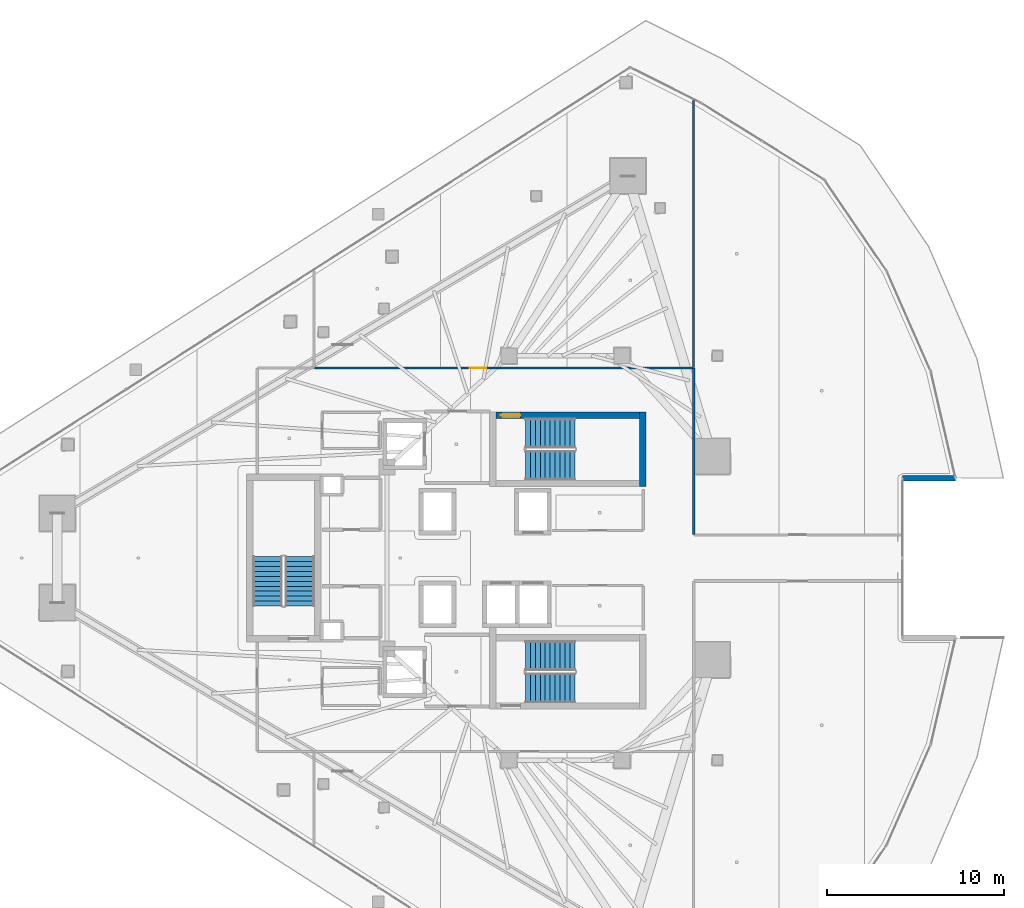
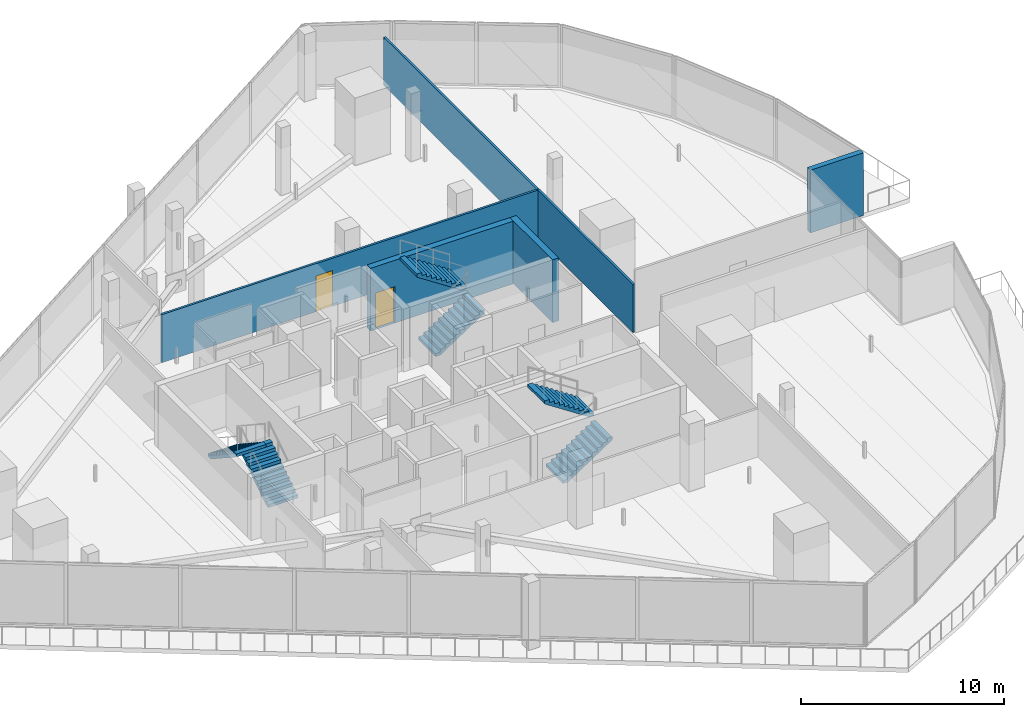
# One storey, part 29 of 39: 6 stair flights, 6 walls, 2 doors, 2 openings, 3 elements without a shape of their own.
"""IFC4 building model written with IfcOpenShell, lengths in metres."""

from ifc_helpers import new_model, si_unit, direction, frame, frame_2d, origin, place, context, subcontext, project, spatial, polyline, rectangle, outline, extrude, material, layer, layer_set, type_object, element, fill, aggregate, save


model = new_model("IFC4")

# Units and contexts
model_context = context("Model", 3, precision=1e-05, world=origin(), true_north=direction((0.0, 1.0)))
body_context = subcontext(model_context, "Body", "Model", "MODEL_VIEW")
ifc_project = project(units=[si_unit("LENGTHUNIT", "METRE"), si_unit("AREAUNIT", "SQUARE_METRE"), si_unit("VOLUMEUNIT", "CUBIC_METRE"), si_unit("PLANEANGLEUNIT", "RADIAN"), si_unit("MASSUNIT", "GRAM", prefix="KILO")], contexts=[model_context])

# Site, building, storey
site_placement = place(None, origin())
site = spatial("IfcSite", under=ifc_project, at=site_placement, CompositionType="ELEMENT")
building_placement = place(site_placement, origin())
building = spatial("IfcBuilding", under=site, at=building_placement, Name="Qorvath Tower", CompositionType="ELEMENT")
storey_placement = place(building_placement, frame((0.0, 0.0, 201.0)))
storey = spatial("IfcBuildingStorey", under=building, at=storey_placement, Name="L46", CompositionType="ELEMENT", Elevation=201.0)

# Wall, opening, door
ifc_material_1 = material(Name="Gypsum board on metal studs with mineral wool", Category="gypsum")
ifc_layer_1 = layer(ifc_material_1, 0.125)
ifc_layer_set_1 = layer_set([ifc_layer_1], Name="IW-PART-125")
wall_type_1 = type_object("IfcWallType", Name="IW-PART-125", PredefinedType="PARTITIONING", material=ifc_layer_set_1)
wall_1_placement = place(storey_placement, frame((-34.6171875, 10.758056640625, 0.0), z_axis=(0.0, 0.0, 1.0), x_axis=(1.0, 0.0, 0.0)))
wall_1 = element("IfcWall", 1, at=wall_1_placement, inside=storey, type_object=wall_type_1, Name="Interior Partition IW-T1-L46-029", PredefinedType="PARTITIONING", context=body_context, shape_type="SweptSolid", body=[
    extrude(rectangle(XDim=21.4423828125, YDim=0.125, at=frame_2d((10.72119140625, 0.0))), origin(), (0.0, 0.0, 1.0), 2.89990234375),
])
opening_1_placement = place(wall_1_placement, frame((8.782470703125, 0.0, 0.0)))
opening_1 = element("IfcOpeningElement", 2, at=opening_1_placement, cuts=wall_1, Name="Opening D-T1-L46-08", PredefinedType="OPENING", context=body_context, shape_type="SweptSolid", body=[
    extrude(rectangle(XDim=0.949951171875, YDim=2.14990234375, at=frame_2d((0.47509765625, 1.074951171875))), frame((0.0, 0.072509765625, 0.0), z_axis=(0.0, -1.0, 0.0), x_axis=(1.0, 0.0, 0.0)), (0.0, 0.0, 1.0), 0.14501953125),
])
ifc_material_2 = material(Name="Solid-core American white oak veneer", Category="wood")
door_type_1 = type_object("IfcDoorType", Name="D-01", OperationType="NOTDEFINED", PredefinedType="DOOR", material=ifc_material_2)
door_1_placement = place(opening_1_placement, origin())
door_1 = element("IfcDoor", 3, at=door_1_placement, inside=storey, type_object=door_type_1, Name="L46-02 Quantitative Research Studio Door D-T1-L46-08", OperationType="SINGLE_SWING_LEFT", OverallHeight=2.14990234375, OverallWidth=0.949951171875, PredefinedType="DOOR", context=body_context, shape_type="SweptSolid", body=[
    extrude(rectangle(XDim=0.949951171875, YDim=2.14990234375, at=frame_2d((0.47509765625, 1.074951171875))), frame((0.0, 0.02490234375, 0.0), z_axis=(0.0, -1.0, 0.0), x_axis=(1.0, 0.0, 0.0)), (0.0, 0.0, 1.0), 0.050048828125),
])
fill(opening_1, door_1)

# Walls
wall_2_placement = place(storey_placement, frame((-13.14990234375, 10.783203125, 0.0), z_axis=(0.0, 0.0, 1.0), x_axis=(0.0, 1.0, 0.0)))
element("IfcWall", 4, at=wall_2_placement, inside=storey, type_object=wall_type_1, Name="Interior Partition IW-T1-L46-030", PredefinedType="PARTITIONING", context=body_context, shape_type="SweptSolid", body=[
    extrude(rectangle(XDim=15.111328125, YDim=0.125, at=frame_2d((7.5556640625, 0.0))), origin(), (0.0, 0.0, 1.0), 2.89990234375),
])
wall_3_placement = place(storey_placement, frame((-13.14208984375, 10.75830078125, 0.0), z_axis=(0.0, 0.0, 1.0), x_axis=(0.0, -1.0, 0.0)))
element("IfcWall", 5, at=wall_3_placement, inside=storey, type_object=wall_type_1, Name="Interior Partition IW-T1-L46-033", PredefinedType="PARTITIONING", context=body_context, shape_type="SweptSolid", body=[
    extrude(rectangle(XDim=9.42529296875, YDim=0.125, at=frame_2d((4.712646484375, 0.0))), origin(), (0.0, 0.0, 1.0), 2.89990234375),
])
ifc_material_3 = material(Name="Concrete C60/75", Category="concrete")
ifc_layer_2 = layer(ifc_material_3, 0.35009765625)
ifc_layer_set_2 = layer_set([ifc_layer_2], Name="SW-STAIR")
wall_type_2 = type_object("IfcWallType", Name="SW-STAIR", PredefinedType="SHEAR", material=ifc_layer_set_2)
wall_4_placement = place(storey_placement, frame((-16.02490234375, 4.050048828125, 0.0), z_axis=(0.0, 0.0, 1.0), x_axis=(0.0, 1.0, 0.0)))
element("IfcWall", 6, at=wall_4_placement, inside=storey, type_object=wall_type_2, Name="Stair TS1 Shear Wall L46 FAR", PredefinedType="SHEAR", context=body_context, shape_type="SweptSolid", body=[
    extrude(rectangle(XDim=4.2099609375, YDim=0.35009765625, at=frame_2d((2.10498046875, 0.0))), origin(), (0.0, 0.0, 1.0), 3.780029296875),
])

# Wall, opening, door
wall_5_placement = place(storey_placement, frame((-16.215087890625, 8.0849609375, 0.0), z_axis=(0.0, 0.0, 1.0), x_axis=(-1.0, 0.0, 0.0)))
wall_5 = element("IfcWall", 7, at=wall_5_placement, inside=storey, type_object=wall_type_2, Name="Stair TS1 Shear Wall L46 RIGHT", PredefinedType="SHEAR", context=body_context, shape_type="SweptSolid", body=[
    extrude(rectangle(XDim=8.119873046875, YDim=0.35009765625, at=frame_2d((4.06005859375, 0.0))), origin(), (0.0, 0.0, 1.0), 3.780029296875),
])
opening_2_placement = place(wall_5_placement, frame((6.739990234375, 0.0, 0.0)))
opening_2 = element("IfcOpeningElement", 8, at=opening_2_placement, cuts=wall_5, Name="Opening D-TS1-L46", PredefinedType="OPENING", context=body_context, shape_type="SweptSolid", body=[
    extrude(rectangle(XDim=1.10009765625, YDim=2.199951171875, at=frame_2d((0.550048828125, 1.10009765625))), frame((0.0, 0.18505859375, 0.0), z_axis=(0.0, -1.0, 0.0), x_axis=(1.0, 0.0, 0.0)), (0.0, 0.0, 1.0), 0.3701171875),
])
ifc_material_4 = material(Name="Painted galvanised hollow metal", Category="steel")
door_type_2 = type_object("IfcDoorType", Name="FD-90", OperationType="NOTDEFINED", PredefinedType="DOOR", material=ifc_material_4)
door_2_placement = place(opening_2_placement, origin())
door_2 = element("IfcDoor", 9, at=door_2_placement, inside=storey, type_object=door_type_2, Name="Stair TS1 Fire Door L46", OperationType="SINGLE_SWING_LEFT", OverallHeight=2.199951171875, OverallWidth=1.10009765625, PredefinedType="DOOR", context=body_context, shape_type="SweptSolid", body=[
    extrude(rectangle(XDim=1.10009765625, YDim=2.199951171875, at=frame_2d((0.550048828125, 1.10009765625))), frame((0.0, 0.02490234375, 0.0), z_axis=(0.0, -1.0, 0.0), x_axis=(1.0, 0.0, 0.0)), (0.0, 0.0, 1.0), 0.050048828125),
])
fill(opening_2, door_2)

# Wall
ifc_material_5 = material(Name="Precast concrete C45/55", Category="concrete")
ifc_layer_3 = layer(ifc_material_5, 0.300048828125)
ifc_layer_set_3 = layer_set([ifc_layer_3], Name="WL-EW-LOG-300")
wall_type_3 = type_object("IfcWallType", Name="WL-EW-LOG-300", PredefinedType="SOLIDWALL", material=ifc_layer_set_3)
wall_6_placement = place(storey_placement, frame((-1.3291015625, 4.519775390625, 0.0), z_axis=(0.0, 0.0, 1.0), x_axis=(1.0, 0.0, 0.0)))
element("IfcWall", 10, at=wall_6_placement, inside=storey, type_object=wall_type_3, Name="Tower Precast Loggia Wall L46-10.1", PredefinedType="SOLIDWALL", context=body_context, shape_type="SweptSolid", body=[
    extrude(rectangle(XDim=3.01318359375, YDim=0.300048828125, at=frame_2d((1.506591796875, 0.0))), origin(), (0.0, 0.0, 1.0), 3.780029296875),
])

# Stair, stair flights
ifc_material_6 = material(Name="Concrete C50/60", Category="concrete")
stair_type = type_object("IfcStairType", Name="ST-H405", PredefinedType="HALF_TURN_STAIR", material=ifc_material_6)
stair_1_placement = place(storey_placement, origin())
stair_1 = element("IfcStair", 11, at=stair_1_placement, inside=storey, type_object=stair_type, Name="L46 Tower Exit Stair 1", PredefinedType="HALF_TURN_STAIR")
ifc_material_7 = material(Name="Concrete C50/60", Category="concrete")
ifc_layer_4 = layer(ifc_material_7, 0.14990234375)
ifc_layer_set_4 = layer_set([ifc_layer_4], Name="SF-H405")
stair_flight_type = type_object("IfcStairFlightType", Name="SF-H405", PredefinedType="STRAIGHT", material=ifc_layer_set_4)
stair_flight_1_placement = place(storey_placement, frame((-22.669921875, 5.239990234375, 0.0), z_axis=(0.0, 0.0, 1.0), x_axis=(1.0, 0.0, 0.0)))
stair_flight_1 = element("IfcStairFlight", 12, at=stair_flight_1_placement, type_object=stair_flight_type, Name="TS1 flight 1", NumberOfRisers=11, NumberOfTreads=10, PredefinedType="STRAIGHT", RiserHeight=0.184090909, TreadLength=0.28, context=body_context, shape_type="SweptSolid", body=[
    extrude(outline(polyline([(0.0, 0.0), (0.0, 0.18408203125), (0.280029296875, 0.18408203125), (0.280029296875, 0.3681640625), (0.56005859375, 0.3681640625), (0.56005859375, 0.55224609375), (0.840087890625, 0.55224609375), (0.840087890625, 0.736328125), (1.1201171875, 0.736328125), (1.1201171875, 0.92041015625), (1.39990234375, 0.92041015625), (1.39990234375, 1.1044921875), (1.679931640625, 1.1044921875), (1.679931640625, 1.28857421875), (1.9599609375, 1.28857421875), (1.9599609375, 1.47265625), (2.239990234375, 1.47265625), (2.239990234375, 1.65673828125), (2.52001953125, 1.65673828125), (2.52001953125, 1.8408203125), (2.800048828125, 1.8408203125), (2.800048828125, 2.02490234375), (2.800048828125, 1.66162109375), (0.27294921875, 0.0), (0.0, 0.0)])), frame((0.0, 0.83984375, 0.0), z_axis=(0.0, -1.0, 0.0), x_axis=(1.0, 0.0, 0.0)), (0.0, 0.0, 1.0), 1.679931640625),
])
stair_flight_2_placement = place(storey_placement, frame((-19.8701171875, 7.070068359375, 2.02490234375), z_axis=(0.0, 0.0, 1.0), x_axis=(-1.0, 0.0, 0.0)))
stair_flight_2 = element("IfcStairFlight", 13, at=stair_flight_2_placement, type_object=stair_flight_type, Name="TS1 flight 2", NumberOfRisers=11, NumberOfTreads=10, PredefinedType="STRAIGHT", RiserHeight=0.184090909, TreadLength=0.28, context=body_context, shape_type="SweptSolid", body=[
    extrude(outline(polyline([(0.0, 0.0), (0.0, 0.18408203125), (0.280029296875, 0.18408203125), (0.280029296875, 0.3681640625), (0.56005859375, 0.3681640625), (0.56005859375, 0.55224609375), (0.840087890625, 0.55224609375), (0.840087890625, 0.736328125), (1.1201171875, 0.736328125), (1.1201171875, 0.92041015625), (1.39990234375, 0.92041015625), (1.39990234375, 1.1044921875), (1.679931640625, 1.1044921875), (1.679931640625, 1.28857421875), (1.9599609375, 1.28857421875), (1.9599609375, 1.47265625), (2.239990234375, 1.47265625), (2.239990234375, 1.65673828125), (2.52001953125, 1.65673828125), (2.52001953125, 1.8408203125), (2.800048828125, 1.8408203125), (2.800048828125, 2.02490234375), (2.800048828125, 1.66162109375), (0.27294921875, 0.0), (0.0, 0.0)])), frame((0.0, 0.83984375, 0.0), z_axis=(0.0, -1.0, 0.0), x_axis=(1.0, 0.0, 0.0)), (0.0, 0.0, 1.0), 1.679931640625),
])
aggregate(stair_1, [stair_flight_1, stair_flight_2])

stair_2_placement = place(storey_placement, origin())
stair_2 = element("IfcStair", 14, at=stair_2_placement, inside=storey, type_object=stair_type, Name="L46 Tower Exit Stair 2", PredefinedType="HALF_TURN_STAIR")
stair_flight_3_placement = place(storey_placement, frame((-22.669921875, -7.360107421875, 0.0), z_axis=(0.0, 0.0, 1.0), x_axis=(1.0, 0.0, 0.0)))
stair_flight_3 = element("IfcStairFlight", 15, at=stair_flight_3_placement, type_object=stair_flight_type, Name="TS2 flight 1", NumberOfRisers=11, NumberOfTreads=10, PredefinedType="STRAIGHT", RiserHeight=0.184090909, TreadLength=0.28, context=body_context, shape_type="SweptSolid", body=[
    extrude(outline(polyline([(0.0, 0.0), (0.0, 0.18408203125), (0.280029296875, 0.18408203125), (0.280029296875, 0.3681640625), (0.56005859375, 0.3681640625), (0.56005859375, 0.55224609375), (0.840087890625, 0.55224609375), (0.840087890625, 0.736328125), (1.1201171875, 0.736328125), (1.1201171875, 0.92041015625), (1.39990234375, 0.92041015625), (1.39990234375, 1.1044921875), (1.679931640625, 1.1044921875), (1.679931640625, 1.28857421875), (1.9599609375, 1.28857421875), (1.9599609375, 1.47265625), (2.239990234375, 1.47265625), (2.239990234375, 1.65673828125), (2.52001953125, 1.65673828125), (2.52001953125, 1.8408203125), (2.800048828125, 1.8408203125), (2.800048828125, 2.02490234375), (2.800048828125, 1.66162109375), (0.27294921875, 0.0), (0.0, 0.0)])), frame((0.0, 0.83984375, 0.0), z_axis=(0.0, -1.0, 0.0), x_axis=(1.0, 0.0, 0.0)), (0.0, 0.0, 1.0), 1.679931640625),
])
stair_flight_4_placement = place(storey_placement, frame((-19.8701171875, -5.530029296875, 2.02490234375), z_axis=(0.0, 0.0, 1.0), x_axis=(-1.0, 0.0, 0.0)))
stair_flight_4 = element("IfcStairFlight", 16, at=stair_flight_4_placement, type_object=stair_flight_type, Name="TS2 flight 2", NumberOfRisers=11, NumberOfTreads=10, PredefinedType="STRAIGHT", RiserHeight=0.184090909, TreadLength=0.28, context=body_context, shape_type="SweptSolid", body=[
    extrude(outline(polyline([(0.0, 0.0), (0.0, 0.18408203125), (0.280029296875, 0.18408203125), (0.280029296875, 0.3681640625), (0.56005859375, 0.3681640625), (0.56005859375, 0.55224609375), (0.840087890625, 0.55224609375), (0.840087890625, 0.736328125), (1.1201171875, 0.736328125), (1.1201171875, 0.92041015625), (1.39990234375, 0.92041015625), (1.39990234375, 1.1044921875), (1.679931640625, 1.1044921875), (1.679931640625, 1.28857421875), (1.9599609375, 1.28857421875), (1.9599609375, 1.47265625), (2.239990234375, 1.47265625), (2.239990234375, 1.65673828125), (2.52001953125, 1.65673828125), (2.52001953125, 1.8408203125), (2.800048828125, 1.8408203125), (2.800048828125, 2.02490234375), (2.800048828125, 1.66162109375), (0.27294921875, 0.0), (0.0, 0.0)])), frame((0.0, 0.83984375, 0.0), z_axis=(0.0, -1.0, 0.0), x_axis=(1.0, 0.0, 0.0)), (0.0, 0.0, 1.0), 1.679931640625),
])
aggregate(stair_2, [stair_flight_3, stair_flight_4])

stair_3_placement = place(storey_placement, origin())
stair_3 = element("IfcStair", 17, at=stair_3_placement, inside=storey, type_object=stair_type, Name="L46 Tower Exit Stair 3", PredefinedType="HALF_TURN_STAIR")
stair_flight_5_placement = place(storey_placement, frame((-35.43994140625, -2.719970703125, 0.0), z_axis=(0.0, 0.0, 1.0), x_axis=(0.0, 1.0, 0.0)))
stair_flight_5 = element("IfcStairFlight", 18, at=stair_flight_5_placement, type_object=stair_flight_type, Name="TS3 flight 1", NumberOfRisers=11, NumberOfTreads=10, PredefinedType="STRAIGHT", RiserHeight=0.184090909, TreadLength=0.28, context=body_context, shape_type="SweptSolid", body=[
    extrude(outline(polyline([(0.0, 0.0), (0.0, 0.18408203125), (0.280029296875, 0.18408203125), (0.280029296875, 0.3681640625), (0.56005859375, 0.3681640625), (0.56005859375, 0.55224609375), (0.840087890625, 0.55224609375), (0.840087890625, 0.736328125), (1.1201171875, 0.736328125), (1.1201171875, 0.92041015625), (1.39990234375, 0.92041015625), (1.39990234375, 1.1044921875), (1.679931640625, 1.1044921875), (1.679931640625, 1.28857421875), (1.9599609375, 1.28857421875), (1.9599609375, 1.47265625), (2.239990234375, 1.47265625), (2.239990234375, 1.65673828125), (2.52001953125, 1.65673828125), (2.52001953125, 1.8408203125), (2.800048828125, 1.8408203125), (2.800048828125, 2.02490234375), (2.800048828125, 1.66162109375), (0.27294921875, 0.0), (0.0, 0.0)])), frame((0.0, 0.83984375, 0.0), z_axis=(0.0, -1.0, 0.0), x_axis=(1.0, 0.0, 0.0)), (0.0, 0.0, 1.0), 1.679931640625),
])
stair_flight_6_placement = place(storey_placement, frame((-37.27001953125, 0.080078125, 2.02490234375), z_axis=(0.0, 0.0, 1.0), x_axis=(0.0, -1.0, 0.0)))
stair_flight_6 = element("IfcStairFlight", 19, at=stair_flight_6_placement, type_object=stair_flight_type, Name="TS3 flight 2", NumberOfRisers=11, NumberOfTreads=10, PredefinedType="STRAIGHT", RiserHeight=0.184090909, TreadLength=0.28, context=body_context, shape_type="SweptSolid", body=[
    extrude(outline(polyline([(0.0, 0.0), (0.0, 0.18408203125), (0.280029296875, 0.18408203125), (0.280029296875, 0.3681640625), (0.56005859375, 0.3681640625), (0.56005859375, 0.55224609375), (0.840087890625, 0.55224609375), (0.840087890625, 0.736328125), (1.1201171875, 0.736328125), (1.1201171875, 0.92041015625), (1.39990234375, 0.92041015625), (1.39990234375, 1.1044921875), (1.679931640625, 1.1044921875), (1.679931640625, 1.28857421875), (1.9599609375, 1.28857421875), (1.9599609375, 1.47265625), (2.239990234375, 1.47265625), (2.239990234375, 1.65673828125), (2.52001953125, 1.65673828125), (2.52001953125, 1.8408203125), (2.800048828125, 1.8408203125), (2.800048828125, 2.02490234375), (2.800048828125, 1.66162109375), (0.27294921875, 0.0), (0.0, 0.0)])), frame((0.0, 0.83984375, 0.0), z_axis=(0.0, -1.0, 0.0), x_axis=(1.0, 0.0, 0.0)), (0.0, 0.0, 1.0), 1.679931640625),
])
aggregate(stair_3, [stair_flight_5, stair_flight_6])

save(model, "model.ifc")
